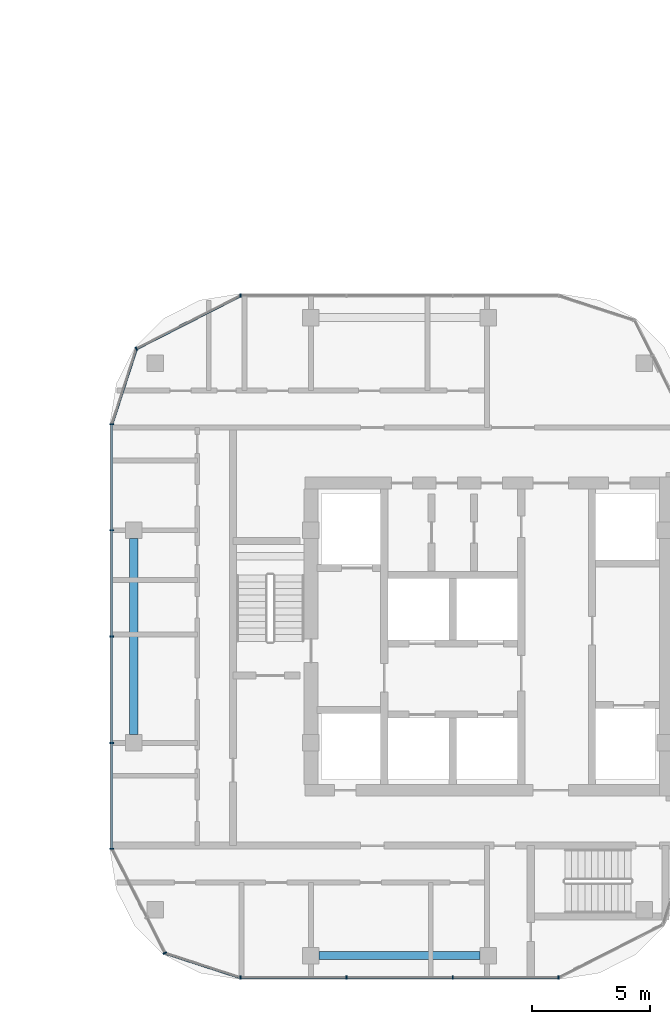
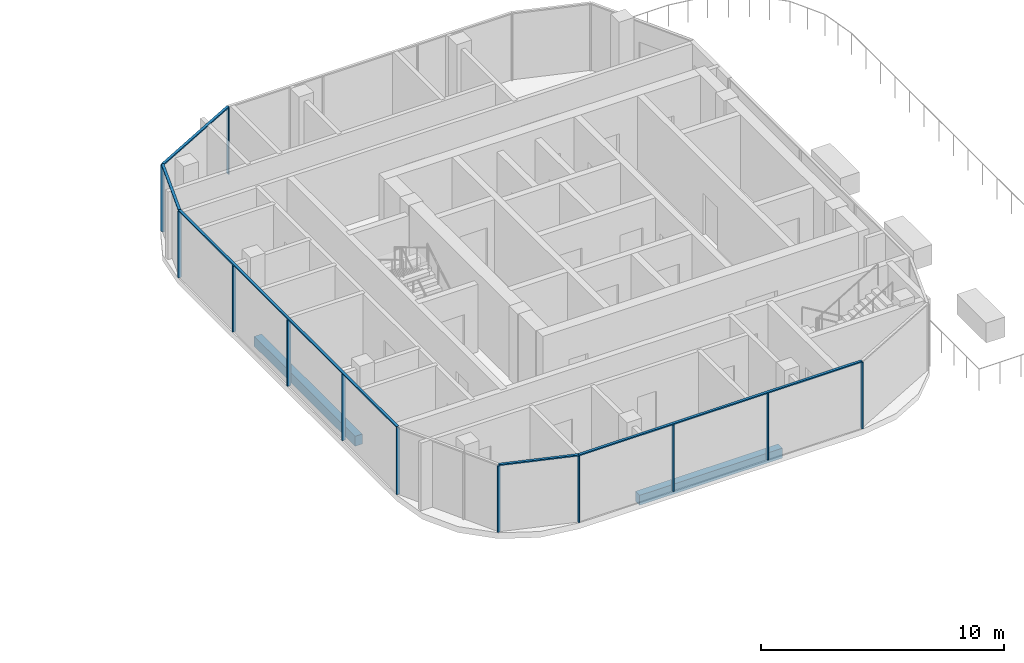
# One storey, part 8 of 35: 17 members, 2 beams, 5 elements without a shape of their own.
"""IFC4 building model written with IfcOpenShell, lengths in metres."""

from ifc_helpers import new_model, si_unit, direction, frame, origin, origin_2d, place, context, subcontext, project, spatial, rectangle, extrude, material, material_profile, profile_set, type_object, element, aggregate, save


model = new_model("IFC4")

# Units and contexts
model_context = context("Model", 3, precision=1e-05, world=origin(), true_north=direction((0.0, 1.0)))
body_context = subcontext(model_context, "Body", "Model", "MODEL_VIEW")
ifc_project = project(units=[si_unit("LENGTHUNIT", "METRE"), si_unit("AREAUNIT", "SQUARE_METRE"), si_unit("VOLUMEUNIT", "CUBIC_METRE"), si_unit("PLANEANGLEUNIT", "RADIAN"), si_unit("MASSUNIT", "GRAM", prefix="KILO")], contexts=[model_context])

# Site, building, storey
site_placement = place(None, origin())
site = spatial("IfcSite", under=ifc_project, at=site_placement, CompositionType="ELEMENT")
building_placement = place(site_placement, origin())
building = spatial("IfcBuilding", under=site, at=building_placement, Name="Ogive Portal Towers", CompositionType="ELEMENT")
storey_placement = place(building_placement, frame((0.0, 0.0, 94.5)))
storey = spatial("IfcBuildingStorey", under=building, at=storey_placement, Name="L22", CompositionType="ELEMENT", Elevation=94.5)

# Curtain wall, members
ifc_material_1 = material(Name="Glass, clear low-iron insulated glazing", Category="glass")
curtain_wall_type = type_object("IfcCurtainWallType", Name="CW RESIDENCES RIBBON", PredefinedType="NOTDEFINED", material=ifc_material_1)
curtain_wall_1_placement = place(storey_placement, origin())
curtain_wall_1 = element("IfcCurtainWall", 1, at=curtain_wall_1_placement, inside=storey, type_object=curtain_wall_type, Name="B:L22:f02:cw0", PredefinedType="NOTDEFINED")
ifc_material_2 = material(Name="Aluminium 6063 anodised", Category="aluminium")
ifc_material_profile_1 = material_profile(ifc_material_2, rectangle(XDim=0.159912109375, YDim=0.06005859375, at=origin_2d()), Name="AL 60x160")
ifc_profile_set_1 = profile_set([ifc_material_profile_1], Name="Aluminium 6063 anodised")
member_type_1 = type_object("IfcMemberType", Name="CW MULLION 60x160", PredefinedType="MULLION", material=ifc_profile_set_1)
member_1_placement = place(storey_placement, frame((126.0126953125, 16.570068359375, 0.0), z_axis=(0.0, 0.0, 1.0), x_axis=(0.0, 1.0, 0.0)))
member_1 = element("IfcMember", 2, at=member_1_placement, type_object=member_type_1, Name="mullion", PredefinedType="MULLION", context=body_context, shape_type="SweptSolid", body=[
    extrude(rectangle(XDim=0.159912109375, YDim=0.06005859375, at=origin_2d()), origin(), (0.0, 0.0, 1.0), 3.340087890625),
])
member_2_placement = place(storey_placement, frame((130.5, 16.570068359375, 0.0), z_axis=(0.0, 0.0, 1.0), x_axis=(0.0, 1.0, 0.0)))
member_2 = element("IfcMember", 3, at=member_2_placement, type_object=member_type_1, Name="mullion", PredefinedType="MULLION", context=body_context, shape_type="SweptSolid", body=[
    extrude(rectangle(XDim=0.159912109375, YDim=0.06005859375, at=origin_2d()), origin(), (0.0, 0.0, 1.0), 3.340087890625),
])
member_3_placement = place(storey_placement, frame((135.0, 16.570068359375, 0.0), z_axis=(0.0, 0.0, 1.0), x_axis=(0.0, 1.0, 0.0)))
member_3 = element("IfcMember", 4, at=member_3_placement, type_object=member_type_1, Name="mullion", PredefinedType="MULLION", context=body_context, shape_type="SweptSolid", body=[
    extrude(rectangle(XDim=0.159912109375, YDim=0.06005859375, at=origin_2d()), origin(), (0.0, 0.0, 1.0), 3.340087890625),
])
member_4_placement = place(storey_placement, frame((139.480712890625, 16.570068359375, 0.0), z_axis=(0.0, 0.0, 1.0), x_axis=(0.0, 1.0, 0.0)))
member_4 = element("IfcMember", 5, at=member_4_placement, type_object=member_type_1, Name="mullion", PredefinedType="MULLION", context=body_context, shape_type="SweptSolid", body=[
    extrude(rectangle(XDim=0.159912109375, YDim=0.06005859375, at=origin_2d()), origin(), (0.0, 0.0, 1.0), 3.340087890625),
])

# Curtain wall, member
curtain_wall_2_placement = place(storey_placement, origin())
curtain_wall_2 = element("IfcCurtainWall", 6, at=curtain_wall_2_placement, inside=storey, type_object=curtain_wall_type, Name="B:L22:f08:cw0", PredefinedType="NOTDEFINED")
member_5_placement = place(storey_placement, frame((126.019287109375, 45.429931640625, 0.0), z_axis=(0.0, 0.0, 1.0), x_axis=(0.0, -1.0, 0.0)))
member_5 = element("IfcMember", 7, at=member_5_placement, type_object=member_type_1, Name="mullion", PredefinedType="MULLION", context=body_context, shape_type="SweptSolid", body=[
    extrude(rectangle(XDim=0.159912109375, YDim=0.06005859375, at=origin_2d()), origin(), (0.0, 0.0, 1.0), 3.340087890625),
])
aggregate(curtain_wall_2, [member_5])

# Curtain wall, members
curtain_wall_3_placement = place(storey_placement, origin())
curtain_wall_3 = element("IfcCurtainWall", 8, at=curtain_wall_3_placement, inside=storey, type_object=curtain_wall_type, Name="B:L22:f11:cw0", PredefinedType="NOTDEFINED")
member_6_placement = place(storey_placement, frame((120.570068359375, 39.9873046875, 0.0), z_axis=(0.0, 0.0, 1.0), x_axis=(1.0, 0.0, 0.0)))
member_6 = element("IfcMember", 9, at=member_6_placement, type_object=member_type_1, Name="mullion", PredefinedType="MULLION", context=body_context, shape_type="SweptSolid", body=[
    extrude(rectangle(XDim=0.159912109375, YDim=0.06005859375, at=origin_2d()), origin(), (0.0, 0.0, 1.0), 3.340087890625),
])
member_7_placement = place(storey_placement, frame((120.570068359375, 35.5, 0.0), z_axis=(0.0, 0.0, 1.0), x_axis=(1.0, 0.0, 0.0)))
member_7 = element("IfcMember", 10, at=member_7_placement, type_object=member_type_1, Name="mullion", PredefinedType="MULLION", context=body_context, shape_type="SweptSolid", body=[
    extrude(rectangle(XDim=0.159912109375, YDim=0.06005859375, at=origin_2d()), origin(), (0.0, 0.0, 1.0), 3.340087890625),
])
member_8_placement = place(storey_placement, frame((120.570068359375, 31.0, 0.0), z_axis=(0.0, 0.0, 1.0), x_axis=(1.0, 0.0, 0.0)))
member_8 = element("IfcMember", 11, at=member_8_placement, type_object=member_type_1, Name="mullion", PredefinedType="MULLION", context=body_context, shape_type="SweptSolid", body=[
    extrude(rectangle(XDim=0.159912109375, YDim=0.06005859375, at=origin_2d()), origin(), (0.0, 0.0, 1.0), 3.340087890625),
])
member_9_placement = place(storey_placement, frame((120.570068359375, 26.5, 0.0), z_axis=(0.0, 0.0, 1.0), x_axis=(1.0, 0.0, 0.0)))
member_9 = element("IfcMember", 12, at=member_9_placement, type_object=member_type_1, Name="mullion", PredefinedType="MULLION", context=body_context, shape_type="SweptSolid", body=[
    extrude(rectangle(XDim=0.159912109375, YDim=0.06005859375, at=origin_2d()), origin(), (0.0, 0.0, 1.0), 3.340087890625),
])
member_10_placement = place(storey_placement, frame((120.570068359375, 22.019287109375, 0.0), z_axis=(0.0, 0.0, 1.0), x_axis=(1.0, 0.0, 0.0)))
member_10 = element("IfcMember", 13, at=member_10_placement, type_object=member_type_1, Name="mullion", PredefinedType="MULLION", context=body_context, shape_type="SweptSolid", body=[
    extrude(rectangle(XDim=0.159912109375, YDim=0.06005859375, at=origin_2d()), origin(), (0.0, 0.0, 1.0), 3.340087890625),
])

# Curtain wall, member
curtain_wall_4_placement = place(storey_placement, origin())
curtain_wall_4 = element("IfcCurtainWall", 14, at=curtain_wall_4_placement, inside=storey, type_object=curtain_wall_type, Name="B:L22:f00:cwa~1", PredefinedType="NOTDEFINED")
member_11_placement = place(storey_placement, frame((122.817626953125, 17.608154296875, 0.0), z_axis=(0.0, 0.0, 1.0), x_axis=(0.891006524188, 0.45399049974, 0.0)))
member_11 = element("IfcMember", 15, at=member_11_placement, type_object=member_type_1, Name="mullion", PredefinedType="MULLION", context=body_context, shape_type="SweptSolid", body=[
    extrude(rectangle(XDim=0.159912109375, YDim=0.06005859375, at=origin_2d()), origin(), (0.0, 0.0, 1.0), 3.340087890625),
])

curtain_wall_5_placement = place(storey_placement, origin())
curtain_wall_5 = element("IfcCurtainWall", 16, at=curtain_wall_5_placement, inside=storey, type_object=curtain_wall_type, Name="B:L22:f09:cwa", PredefinedType="NOTDEFINED")
member_12_placement = place(storey_placement, frame((121.608154296875, 43.182373046875, 0.0), z_axis=(0.0, 0.0, 1.0), x_axis=(0.45399049974, -0.891006524188, 0.0)))
member_12 = element("IfcMember", 17, at=member_12_placement, type_object=member_type_1, Name="mullion", PredefinedType="MULLION", context=body_context, shape_type="SweptSolid", body=[
    extrude(rectangle(XDim=0.159912109375, YDim=0.06005859375, at=origin_2d()), origin(), (0.0, 0.0, 1.0), 3.340087890625),
])

# Member
ifc_material_profile_2 = material_profile(ifc_material_2, rectangle(XDim=0.1201171875, YDim=0.06005859375, at=origin_2d()), Name="AL 120x60")
ifc_profile_set_2 = profile_set([ifc_material_profile_2], Name="Aluminium 6063 anodised")
member_type_2 = type_object("IfcMemberType", Name="CW TRANSOM 60x120", PredefinedType="USERDEFINED", material=ifc_profile_set_2)
member_13_placement = place(storey_placement, frame((126.0126953125, 16.570068359375, 3.3701171875), z_axis=(1.0, 0.0, 0.0), x_axis=(0.0, 1.0, 0.0)))
member_13 = element("IfcMember", 18, at=member_13_placement, type_object=member_type_2, Name="transom", ObjectType="TRANSOM", PredefinedType="USERDEFINED", context=body_context, shape_type="SweptSolid", body=[
    extrude(rectangle(XDim=0.1201171875, YDim=0.06005859375, at=origin_2d()), origin(), (0.0, 0.0, 1.0), 13.468017578125),
])

aggregate(curtain_wall_1, [member_13, member_1, member_2, member_3, member_4])

member_14_placement = place(storey_placement, frame((120.570068359375, 39.9873046875, 3.3701171875), z_axis=(0.0, -1.0, 0.0), x_axis=(1.0, 0.0, 0.0)))
member_14 = element("IfcMember", 19, at=member_14_placement, type_object=member_type_2, Name="transom", ObjectType="TRANSOM", PredefinedType="USERDEFINED", context=body_context, shape_type="SweptSolid", body=[
    extrude(rectangle(XDim=0.1201171875, YDim=0.06005859375, at=origin_2d()), origin(), (0.0, 0.0, 1.0), 17.968017578125),
])

aggregate(curtain_wall_3, [member_14, member_6, member_7, member_8, member_9, member_10])

member_15_placement = place(storey_placement, frame((122.817626953125, 17.608154296875, 3.3701171875), z_axis=(0.951061301714, -0.309002265981, 0.0), x_axis=(0.309002265981, 0.951061301714, 0.0)))
member_15 = element("IfcMember", 20, at=member_15_placement, type_object=member_type_2, Name="transom", ObjectType="TRANSOM", PredefinedType="USERDEFINED", context=body_context, shape_type="SweptSolid", body=[
    extrude(rectangle(XDim=0.1201171875, YDim=0.06005859375, at=origin_2d()), origin(), (0.0, 0.0, 1.0), 3.359375),
])

aggregate(curtain_wall_4, [member_15, member_11])

member_16_placement = place(storey_placement, frame((126.019287109375, 45.429931640625, 3.3701171875), z_axis=(-0.891008635106, -0.453986356807, 0.0), x_axis=(0.453986356807, -0.891008635106, 0.0)))
member_16 = element("IfcMember", 21, at=member_16_placement, type_object=member_type_2, Name="transom", ObjectType="TRANSOM", PredefinedType="USERDEFINED", context=body_context, shape_type="SweptSolid", body=[
    extrude(rectangle(XDim=0.1201171875, YDim=0.06005859375, at=origin_2d()), origin(), (0.0, 0.0, 1.0), 4.95068359375),
])

member_17_placement = place(storey_placement, frame((121.608154296875, 43.182373046875, 3.3701171875), z_axis=(-0.309002265981, -0.951061301714, 0.0), x_axis=(0.951061301714, -0.309002265981, 0.0)))
member_17 = element("IfcMember", 22, at=member_17_placement, type_object=member_type_2, Name="transom", ObjectType="TRANSOM", PredefinedType="USERDEFINED", context=body_context, shape_type="SweptSolid", body=[
    extrude(rectangle(XDim=0.1201171875, YDim=0.06005859375, at=origin_2d()), origin(), (0.0, 0.0, 1.0), 3.359375),
])

aggregate(curtain_wall_5, [member_16, member_17, member_12])

# Beams
ifc_material_3 = material(Name="Concrete C50/60", Category="concrete")
ifc_material_profile_3 = material_profile(ifc_material_3, rectangle(XDim=0.35009765625, YDim=0.5, at=origin_2d()), Name="RC 350x500")
ifc_profile_set_3 = profile_set([ifc_material_profile_3], Name="Concrete C50/60")
beam_type = type_object("IfcBeamType", Name="SPANDREL BEAM RC 350x500", PredefinedType="BEAM", material=ifc_profile_set_3)
beam_1_placement = place(storey_placement, frame((129.35009765625, 17.5, -0.550048828125), z_axis=(1.0, 0.0, 0.0), x_axis=(0.0, 1.0, 0.0)))
element("IfcBeam", 23, at=beam_1_placement, inside=storey, type_object=beam_type, Name="Spandrel beam L22", PredefinedType="BEAM", context=body_context, shape_type="SweptSolid", body=[
    extrude(rectangle(XDim=0.35009765625, YDim=0.5, at=origin_2d()), origin(), (0.0, 0.0, 1.0), 6.7998046875),
])
beam_2_placement = place(storey_placement, frame((121.5, 35.14990234375, -0.550048828125), z_axis=(0.0, -1.0, 0.0), x_axis=(1.0, 0.0, 0.0)))
element("IfcBeam", 24, at=beam_2_placement, inside=storey, type_object=beam_type, Name="Spandrel beam L22", PredefinedType="BEAM", context=body_context, shape_type="SweptSolid", body=[
    extrude(rectangle(XDim=0.35009765625, YDim=0.5, at=origin_2d()), origin(), (0.0, 0.0, 1.0), 8.2998046875),
])

save(model, "model.ifc")
